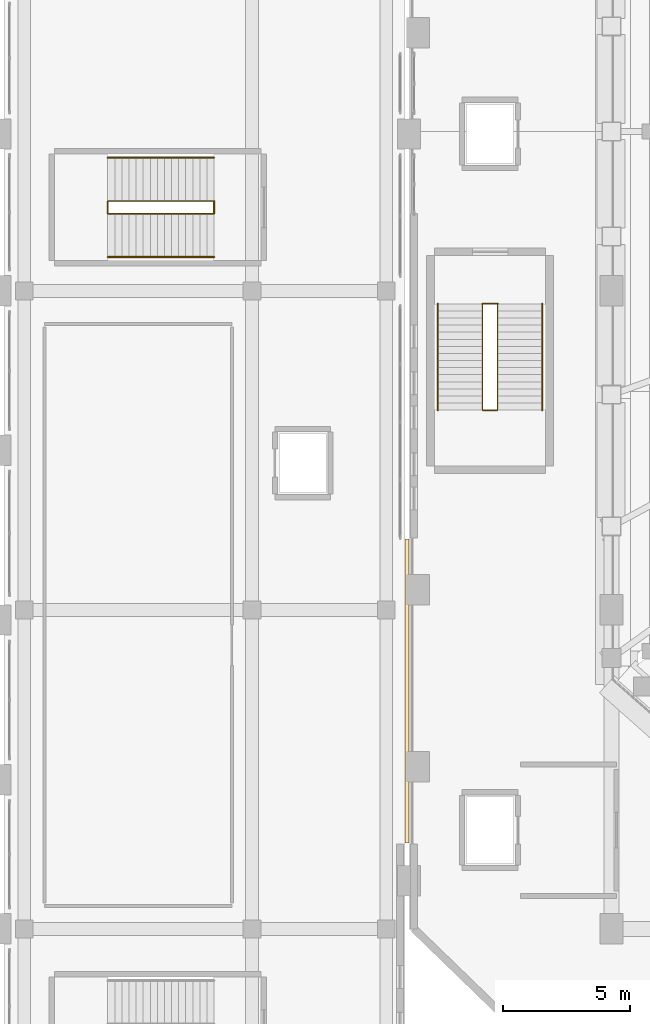
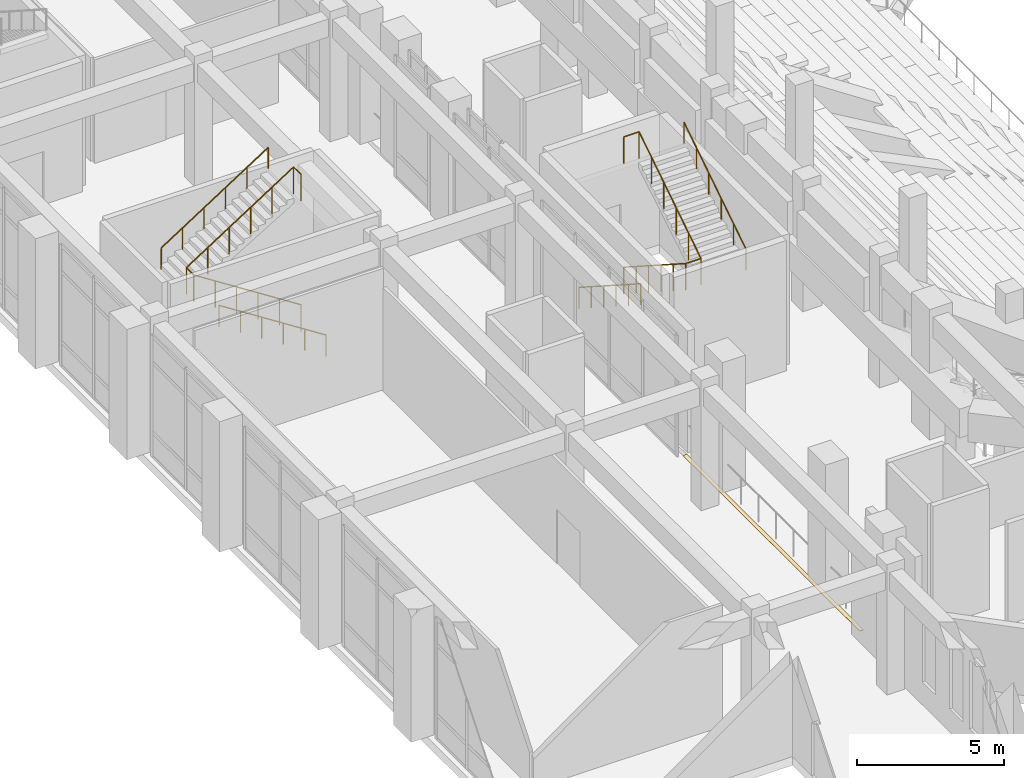
# One storey, part 146 of 159: 8 railings, 1 covering.
"""IFC4 building model written with IfcOpenShell, lengths in metres."""

from ifc_helpers import new_model, si_unit, derived_unit, direction, frame, origin, origin_2d, place, context, subcontext, project, spatial, polyline, circle, outline, extrude, material, layer, layer_set, type_object, element, save


model = new_model("IFC4")

# Units and contexts
model_context = context("Model", 3, precision=1e-05, world=origin(), true_north=direction((0.0, 1.0)))
body_context = subcontext(model_context, "Body", "Model", "MODEL_VIEW")
ifc_project = project(units=[si_unit("LENGTHUNIT", "METRE"), si_unit("AREAUNIT", "SQUARE_METRE"), si_unit("VOLUMEUNIT", "CUBIC_METRE"), si_unit("PLANEANGLEUNIT", "RADIAN"), si_unit("MASSUNIT", "GRAM", prefix="KILO"), derived_unit("THERMALTRANSMITTANCEUNIT", [(si_unit("MASSUNIT", "GRAM", prefix="KILO"), 1), (si_unit("TIMEUNIT", "SECOND"), -3), (si_unit("THERMODYNAMICTEMPERATUREUNIT", "KELVIN"), -1)])], contexts=[model_context])

# Site, building, storey
site_placement = place(None, origin())
site = spatial("IfcSite", under=ifc_project, at=site_placement, CompositionType="ELEMENT")
building_placement = place(site_placement, origin())
building = spatial("IfcBuilding", under=site, at=building_placement, Name="Valcora Ridge Arena", CompositionType="ELEMENT")
storey_placement = place(building_placement, frame((0.0, 0.0, 6.0)))
storey = spatial("IfcBuildingStorey", under=building, at=storey_placement, Name="L01", CompositionType="ELEMENT", Elevation=6.0)

# Covering
ifc_material_1 = material(Name="Steel ASTM A572 Grade 50", Category="steel")
ifc_layer = layer(ifc_material_1, 0.02001953125, Name="Steel ASTM A572 Grade 50")
ifc_layer_set = layer_set([ifc_layer], Name="Steel ASTM A572 Grade 50")
covering_type = type_object("IfcCoveringType", Name="TY-COVERING-COV-SJ-150", PredefinedType="FLOORING", material=ifc_layer_set)
covering_placement = place(storey_placement, frame((0.0, 0.0, -0.02001953125)))
element("IfcCovering", 1, at=covering_placement, inside=storey, type_object=covering_type, Name="COV-SJ-150 COV-SJ-0006", PredefinedType="FLOORING", context=body_context, shape_type="SweptSolid", body=[
    extrude(outline(polyline([(15.85009765625, 36.0), (16.0, 36.0), (16.0, 48.0), (15.85009765625, 48.0), (15.85009765625, 36.0)])), origin(), (0.0, 0.0, 1.0), 0.02001953125),
])

# Railings
ifc_material_2 = material(Name="Galvanized painted steel ASTM A500 Grade B", Category="steel")
railing_type_1 = type_object("IfcRailingType", Name="TY-RAILING-GRD-STAIR-1120", PredefinedType="GUARDRAIL", material=ifc_material_2)
railing_1_placement = place(storey_placement, frame((18.89990234375, 57.2900390625, 0.0)))
element("IfcRailing", 2, at=railing_1_placement, inside=storey, type_object=railing_type_1, Name="GRD-STAIR-1120 RAL-SG-0049", PredefinedType="GUARDRAIL", context=body_context, shape_type="SweptSolid", body=[
    extrude(circle(Radius=0.02392578125, at=origin_2d()), frame((0.0, 0.0, 1.09619140625), z_axis=(0.0, -0.841180064094, 0.540755119968), x_axis=(1.0, 0.0, 0.0)), (0.0, 0.0, 1.0), 4.992919921875),
    extrude(circle(Radius=0.02392578125, at=origin_2d()), frame((0.0, -4.199951171875, 3.7958984375), z_axis=(1.0, 0.0, 0.0), x_axis=(0.0, 1.0, 0.0)), (0.0, 0.0, 1.0), 0.60009765625),
    extrude(circle(Radius=0.02392578125, at=origin_2d()), frame((0.60009765625, -4.199951171875, 3.7958984375), z_axis=(0.0, 0.841180064094, 0.540755119968), x_axis=(-1.0, 0.0, 0.0)), (0.0, 0.0, 1.0), 4.992919921875),
    extrude(circle(Radius=0.02099609375, at=origin_2d()), origin(), (0.0, 0.0, 1.0), 1.072021484375),
    extrude(circle(Radius=0.02099609375, at=origin_2d()), frame((0.0, -0.840087890625, 0.5400390625)), (0.0, 0.0, 1.0), 1.072021484375),
    extrude(circle(Radius=0.02099609375, at=origin_2d()), frame((0.0, -1.679931640625, 1.080078125)), (0.0, 0.0, 1.0), 1.072021484375),
    extrude(circle(Radius=0.02099609375, at=origin_2d()), frame((0.0, -2.52001953125, 1.619873046875)), (0.0, 0.0, 1.0), 1.072021484375),
    extrude(circle(Radius=0.02099609375, at=origin_2d()), frame((0.0, -3.35986328125, 2.159912109375)), (0.0, 0.0, 1.0), 1.072021484375),
    extrude(circle(Radius=0.02099609375, at=origin_2d()), frame((0.0, -4.199951171875, 2.699951171875)), (0.0, 0.0, 1.0), 1.072021484375),
    extrude(circle(Radius=0.02099609375, at=origin_2d()), frame((0.60009765625, -4.199951171875, 2.699951171875)), (0.0, 0.0, 1.0), 1.072021484375),
    extrude(circle(Radius=0.02099609375, at=origin_2d()), frame((0.60009765625, -3.35986328125, 3.239990234375)), (0.0, 0.0, 1.0), 1.072021484375),
    extrude(circle(Radius=0.02099609375, at=origin_2d()), frame((0.60009765625, -2.52001953125, 3.780029296875)), (0.0, 0.0, 1.0), 1.072021484375),
    extrude(circle(Radius=0.02099609375, at=origin_2d()), frame((0.60009765625, -1.679931640625, 4.31982421875)), (0.0, 0.0, 1.0), 1.072021484375),
    extrude(circle(Radius=0.02099609375, at=origin_2d()), frame((0.60009765625, -0.840087890625, 4.85986328125)), (0.0, 0.0, 1.0), 1.072021484375),
    extrude(circle(Radius=0.02099609375, at=origin_2d()), frame((0.60009765625, 0.0, 5.39990234375)), (0.0, 0.0, 1.0), 1.072021484375),
])
railing_2_placement = place(storey_placement, frame((18.89990234375, 57.2900390625, 5.39990234375)))
element("IfcRailing", 3, at=railing_2_placement, inside=storey, type_object=railing_type_1, Name="GRD-STAIR-1120 RAL-SG-0050", PredefinedType="GUARDRAIL", context=body_context, shape_type="SweptSolid", body=[
    extrude(circle(Radius=0.02392578125, at=origin_2d()), frame((0.0, 0.0, 1.09619140625), z_axis=(1.0, 0.0, 0.0), x_axis=(0.0, 1.0, 0.0)), (0.0, 0.0, 1.0), 0.60009765625),
    extrude(circle(Radius=0.02099609375, at=origin_2d()), origin(), (0.0, 0.0, 1.0), 1.072021484375),
    extrude(circle(Radius=0.02099609375, at=origin_2d()), frame((0.60009765625, 0.0, 0.0)), (0.0, 0.0, 1.0), 1.072021484375),
])
railing_3_placement = place(storey_placement, frame((8.300048828125, 60.85009765625, 0.0)))
element("IfcRailing", 4, at=railing_3_placement, inside=storey, type_object=railing_type_1, Name="GRD-STAIR-1120 RAL-SG-0151", PredefinedType="GUARDRAIL", context=body_context, shape_type="SweptSolid", body=[
    extrude(circle(Radius=0.02392578125, at=origin_2d()), frame((0.0, 0.0, 1.09619140625), z_axis=(-0.841180064094, 0.0, 0.540755119968), x_axis=(0.0, -1.0, 0.0)), (0.0, 0.0, 1.0), 4.992919921875),
    extrude(circle(Radius=0.02392578125, at=origin_2d()), frame((-4.199951171875, 0.0, 3.7958984375), z_axis=(0.0, 1.0, 0.0), x_axis=(-1.0, 0.0, 0.0)), (0.0, 0.0, 1.0), 0.5),
    extrude(circle(Radius=0.02392578125, at=origin_2d()), frame((-4.199951171875, 0.5, 3.7958984375), z_axis=(0.841180064094, 0.0, 0.540755119968), x_axis=(0.0, 1.0, 0.0)), (0.0, 0.0, 1.0), 4.992919921875),
    extrude(circle(Radius=0.02099609375, at=origin_2d()), origin(), (0.0, 0.0, 1.0), 1.072021484375),
    extrude(circle(Radius=0.02099609375, at=origin_2d()), frame((-0.840087890625, 0.0, 0.5400390625)), (0.0, 0.0, 1.0), 1.072021484375),
    extrude(circle(Radius=0.02099609375, at=origin_2d()), frame((-1.679931640625, 0.0, 1.080078125)), (0.0, 0.0, 1.0), 1.072021484375),
    extrude(circle(Radius=0.02099609375, at=origin_2d()), frame((-2.52001953125, 0.0, 1.619873046875)), (0.0, 0.0, 1.0), 1.072021484375),
    extrude(circle(Radius=0.02099609375, at=origin_2d()), frame((-3.35986328125, 0.0, 2.159912109375)), (0.0, 0.0, 1.0), 1.072021484375),
    extrude(circle(Radius=0.02099609375, at=origin_2d()), frame((-4.199951171875, 0.0, 2.699951171875)), (0.0, 0.0, 1.0), 1.072021484375),
    extrude(circle(Radius=0.02099609375, at=origin_2d()), frame((-4.199951171875, 0.5, 2.699951171875)), (0.0, 0.0, 1.0), 1.072021484375),
    extrude(circle(Radius=0.02099609375, at=origin_2d()), frame((-3.35986328125, 0.5, 3.239990234375)), (0.0, 0.0, 1.0), 1.072021484375),
    extrude(circle(Radius=0.02099609375, at=origin_2d()), frame((-2.52001953125, 0.5, 3.780029296875)), (0.0, 0.0, 1.0), 1.072021484375),
    extrude(circle(Radius=0.02099609375, at=origin_2d()), frame((-1.679931640625, 0.5, 4.31982421875)), (0.0, 0.0, 1.0), 1.072021484375),
    extrude(circle(Radius=0.02099609375, at=origin_2d()), frame((-0.840087890625, 0.5, 4.85986328125)), (0.0, 0.0, 1.0), 1.072021484375),
    extrude(circle(Radius=0.02099609375, at=origin_2d()), frame((0.0, 0.5, 5.39990234375)), (0.0, 0.0, 1.0), 1.072021484375),
])
railing_4_placement = place(storey_placement, frame((8.300048828125, 60.85009765625, 5.39990234375)))
element("IfcRailing", 5, at=railing_4_placement, inside=storey, type_object=railing_type_1, Name="GRD-STAIR-1120 RAL-SG-0152", PredefinedType="GUARDRAIL", context=body_context, shape_type="SweptSolid", body=[
    extrude(circle(Radius=0.02392578125, at=origin_2d()), frame((0.0, 0.0, 1.09619140625), z_axis=(0.0, 1.0, 0.0), x_axis=(-1.0, 0.0, 0.0)), (0.0, 0.0, 1.0), 0.5),
    extrude(circle(Radius=0.02099609375, at=origin_2d()), origin(), (0.0, 0.0, 1.0), 1.072021484375),
    extrude(circle(Radius=0.02099609375, at=origin_2d()), frame((0.0, 0.5, 0.0)), (0.0, 0.0, 1.0), 1.072021484375),
])
railing_type_2 = type_object("IfcRailingType", Name="TY-RAILING-HR-STAIR-900", PredefinedType="HANDRAIL", material=ifc_material_2)
railing_5_placement = place(storey_placement, frame((17.139892578125, 57.2900390625, 0.0)))
element("IfcRailing", 6, at=railing_5_placement, inside=storey, type_object=railing_type_2, Name="HR-STAIR-900 RAL-SH-0049", PredefinedType="HANDRAIL", context=body_context, shape_type="SweptSolid", body=[
    extrude(circle(Radius=0.02392578125, at=origin_2d()), frame((0.0, 0.0, 0.8759765625), z_axis=(0.0, -0.841180064094, 0.540755119968), x_axis=(1.0, 0.0, 0.0)), (0.0, 0.0, 1.0), 4.992919921875),
    extrude(circle(Radius=0.02099609375, at=origin_2d()), origin(), (0.0, 0.0, 1.0), 0.851806640625),
    extrude(circle(Radius=0.02099609375, at=origin_2d()), frame((0.0, -0.840087890625, 0.5400390625)), (0.0, 0.0, 1.0), 0.851806640625),
    extrude(circle(Radius=0.02099609375, at=origin_2d()), frame((0.0, -1.679931640625, 1.080078125)), (0.0, 0.0, 1.0), 0.851806640625),
    extrude(circle(Radius=0.02099609375, at=origin_2d()), frame((0.0, -2.52001953125, 1.619873046875)), (0.0, 0.0, 1.0), 0.851806640625),
    extrude(circle(Radius=0.02099609375, at=origin_2d()), frame((0.0, -3.35986328125, 2.159912109375)), (0.0, 0.0, 1.0), 0.851806640625),
    extrude(circle(Radius=0.02099609375, at=origin_2d()), frame((0.0, -4.199951171875, 2.699951171875)), (0.0, 0.0, 1.0), 0.851806640625),
])
railing_6_placement = place(storey_placement, frame((21.260009765625, 53.090087890625, 2.699951171875)))
element("IfcRailing", 7, at=railing_6_placement, inside=storey, type_object=railing_type_2, Name="HR-STAIR-900 RAL-SH-0050", PredefinedType="HANDRAIL", context=body_context, shape_type="SweptSolid", body=[
    extrude(circle(Radius=0.02392578125, at=origin_2d()), frame((0.0, 0.0, 0.8759765625), z_axis=(0.0, 0.841180064094, 0.540755119968), x_axis=(-1.0, 0.0, 0.0)), (0.0, 0.0, 1.0), 4.992919921875),
    extrude(circle(Radius=0.02099609375, at=origin_2d()), origin(), (0.0, 0.0, 1.0), 0.851806640625),
    extrude(circle(Radius=0.02099609375, at=origin_2d()), frame((0.0, 0.840087890625, 0.5400390625)), (0.0, 0.0, 1.0), 0.851806640625),
    extrude(circle(Radius=0.02099609375, at=origin_2d()), frame((0.0, 1.679931640625, 1.080078125)), (0.0, 0.0, 1.0), 0.851806640625),
    extrude(circle(Radius=0.02099609375, at=origin_2d()), frame((0.0, 2.52001953125, 1.619873046875)), (0.0, 0.0, 1.0), 0.851806640625),
    extrude(circle(Radius=0.02099609375, at=origin_2d()), frame((0.0, 3.35986328125, 2.159912109375)), (0.0, 0.0, 1.0), 0.851806640625),
    extrude(circle(Radius=0.02099609375, at=origin_2d()), frame((0.0, 4.199951171875, 2.699951171875)), (0.0, 0.0, 1.0), 0.851806640625),
])
railing_7_placement = place(storey_placement, frame((8.300048828125, 59.139892578125, 0.0)))
element("IfcRailing", 8, at=railing_7_placement, inside=storey, type_object=railing_type_2, Name="HR-STAIR-900 RAL-SH-0151", PredefinedType="HANDRAIL", context=body_context, shape_type="SweptSolid", body=[
    extrude(circle(Radius=0.02392578125, at=origin_2d()), frame((0.0, 0.0, 0.8759765625), z_axis=(-0.841180064094, 0.0, 0.540755119968), x_axis=(0.0, -1.0, 0.0)), (0.0, 0.0, 1.0), 4.992919921875),
    extrude(circle(Radius=0.02099609375, at=origin_2d()), origin(), (0.0, 0.0, 1.0), 0.851806640625),
    extrude(circle(Radius=0.02099609375, at=origin_2d()), frame((-0.840087890625, 0.0, 0.5400390625)), (0.0, 0.0, 1.0), 0.851806640625),
    extrude(circle(Radius=0.02099609375, at=origin_2d()), frame((-1.679931640625, 0.0, 1.080078125)), (0.0, 0.0, 1.0), 0.851806640625),
    extrude(circle(Radius=0.02099609375, at=origin_2d()), frame((-2.52001953125, 0.0, 1.619873046875)), (0.0, 0.0, 1.0), 0.851806640625),
    extrude(circle(Radius=0.02099609375, at=origin_2d()), frame((-3.35986328125, 0.0, 2.159912109375)), (0.0, 0.0, 1.0), 0.851806640625),
    extrude(circle(Radius=0.02099609375, at=origin_2d()), frame((-4.199951171875, 0.0, 2.699951171875)), (0.0, 0.0, 1.0), 0.851806640625),
])
railing_8_placement = place(storey_placement, frame((4.10009765625, 63.06005859375, 2.699951171875)))
element("IfcRailing", 9, at=railing_8_placement, inside=storey, type_object=railing_type_2, Name="HR-STAIR-900 RAL-SH-0152", PredefinedType="HANDRAIL", context=body_context, shape_type="SweptSolid", body=[
    extrude(circle(Radius=0.02392578125, at=origin_2d()), frame((0.0, 0.0, 0.8759765625), z_axis=(0.841180064094, 0.0, 0.540755119968), x_axis=(0.0, 1.0, 0.0)), (0.0, 0.0, 1.0), 4.992919921875),
    extrude(circle(Radius=0.02099609375, at=origin_2d()), origin(), (0.0, 0.0, 1.0), 0.851806640625),
    extrude(circle(Radius=0.02099609375, at=origin_2d()), frame((0.840087890625, 0.0, 0.5400390625)), (0.0, 0.0, 1.0), 0.851806640625),
    extrude(circle(Radius=0.02099609375, at=origin_2d()), frame((1.679931640625, 0.0, 1.080078125)), (0.0, 0.0, 1.0), 0.851806640625),
    extrude(circle(Radius=0.02099609375, at=origin_2d()), frame((2.52001953125, 0.0, 1.619873046875)), (0.0, 0.0, 1.0), 0.851806640625),
    extrude(circle(Radius=0.02099609375, at=origin_2d()), frame((3.35986328125, 0.0, 2.159912109375)), (0.0, 0.0, 1.0), 0.851806640625),
    extrude(circle(Radius=0.02099609375, at=origin_2d()), frame((4.199951171875, 0.0, 2.699951171875)), (0.0, 0.0, 1.0), 0.851806640625),
])

save(model, "model.ifc")
